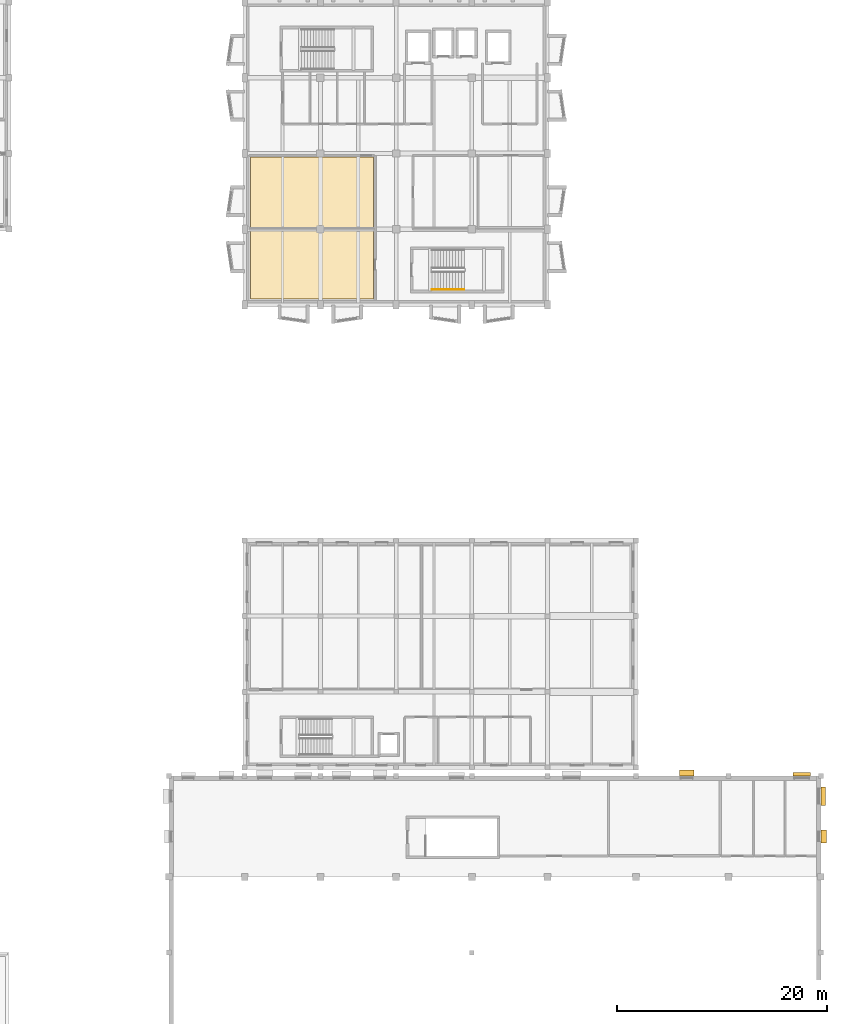
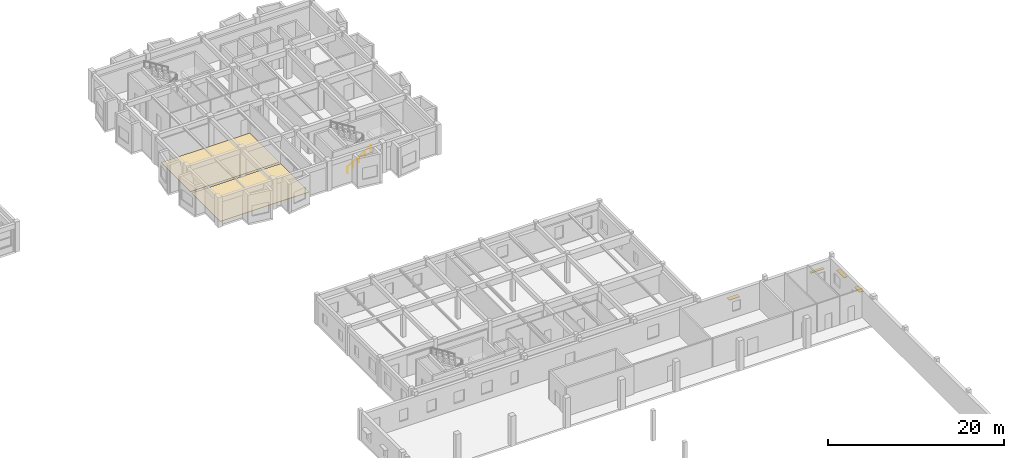
# One storey, part 48 of 49: 4 shading devices, 2 coverings, 1 railing.
"""IFC4 building model written with IfcOpenShell, lengths in metres."""

from ifc_helpers import new_model, si_unit, direction, frame, origin, origin_2d, place, context, subcontext, project, spatial, polyline, rectangle, circle, outline, extrude, material, layer, layer_set, type_object, element, save


model = new_model("IFC4")

# Units and contexts
model_context = context("Model", 3, precision=1e-05, world=origin(), true_north=direction((0.0, 1.0)))
body_context = subcontext(model_context, "Body", "Model", "MODEL_VIEW")
ifc_project = project(units=[si_unit("LENGTHUNIT", "METRE"), si_unit("AREAUNIT", "SQUARE_METRE"), si_unit("VOLUMEUNIT", "CUBIC_METRE"), si_unit("PLANEANGLEUNIT", "RADIAN"), si_unit("MASSUNIT", "GRAM", prefix="KILO")], contexts=[model_context])

# Site, building, storey
site_placement = place(None, origin())
site = spatial("IfcSite", under=ifc_project, at=site_placement, CompositionType="ELEMENT")
building_placement = place(site_placement, origin())
building = spatial("IfcBuilding", under=site, at=building_placement, Name="Bramveld Media Centre", CompositionType="ELEMENT")
storey_placement = place(building_placement, frame((0.0, 0.0, 9.60009765625)))
storey = spatial("IfcBuildingStorey", under=building, at=storey_placement, Name="L02", CompositionType="ELEMENT", Elevation=9.60009765625)

# Coverings
ifc_material_1 = material(Name="Floating acoustic screed with smoked European oak studio flooring")
ifc_layer_1 = layer(ifc_material_1, 0.06494140625)
ifc_layer_set_1 = layer_set([ifc_layer_1], Name="Floating acoustic screed with smoked European oak studio flooring")
covering_type_1 = type_object("IfcCoveringType", Name="COV-FLOOR-01", PredefinedType="FLOORING", material=ifc_layer_set_1)
covering_1_placement = place(storey_placement, origin())
element("IfcCovering", 1, at=covering_1_placement, inside=storey, type_object=covering_type_1, Name="Documentary Commissioning Hub finish flooring", PredefinedType="FLOORING", context=body_context, shape_type="SweptSolid", body=[
    extrude(outline(polyline([(131.75, 90.550048828125), (143.449951171875, 90.550048828125), (143.449951171875, 97.25), (131.75, 97.25), (131.75, 90.550048828125)])), origin(), (0.0, 0.0, 1.0), 0.06494140625),
])
ifc_material_2 = material(Name="Honed Belgian bluestone (petit granit) public concourse flooring", Category="masonry")
ifc_layer_2 = layer(ifc_material_2, 0.050048828125)
ifc_layer_set_2 = layer_set([ifc_layer_2], Name="Honed Belgian bluestone (petit granit) public concourse flooring")
covering_type_2 = type_object("IfcCoveringType", Name="COV-FLOOR-02", PredefinedType="FLOORING", material=ifc_layer_set_2)
covering_2_placement = place(storey_placement, origin())
element("IfcCovering", 2, at=covering_2_placement, inside=storey, type_object=covering_type_2, Name="Archival Research & Rights Clearance Office finish flooring", PredefinedType="FLOORING", context=body_context, shape_type="SweptSolid", body=[
    extrude(outline(polyline([(131.75, 83.75), (143.449951171875, 83.75), (143.449951171875, 90.25), (131.75, 90.25), (131.75, 83.75)])), origin(), (0.0, 0.0, 1.0), 0.0498046875),
])

# Railing
ifc_material_3 = material(Name="Brushed stainless steel tubular stair handrail", Category="steel")
railing_type = type_object("IfcRailingType", Name="RAIL-STAIR-HAND-0920", PredefinedType="HANDRAIL", material=ifc_material_3)
railing_placement = place(storey_placement, frame((149.0, 84.64990234375, 0.1748046875)))
element("IfcRailing", 3, at=railing_placement, inside=storey, type_object=railing_type, Name="L02 ST-02 stair handrail 1", PredefinedType="HANDRAIL", context=body_context, shape_type="SweptSolid", body=[
    extrude(circle(Radius=0.02392578125, at=origin_2d()), frame((0.0, 0.0, 0.8759765625), z_axis=(0.847998304005, 0.0, 0.529998940003), x_axis=(0.0, 1.0, 0.0)), (0.0, 0.0, 1.0), 3.632080078125),
    extrude(circle(Radius=0.02099609375, at=origin_2d()), origin(), (0.0, 0.0, 1.0), 0.851806640625),
    extrude(circle(Radius=0.02099609375, at=origin_2d()), frame((0.77001953125, 0.0, 0.481201171875)), (0.0, 0.0, 1.0), 0.851806640625),
    extrude(circle(Radius=0.02099609375, at=origin_2d()), frame((1.5400390625, 0.0, 0.96240234375)), (0.0, 0.0, 1.0), 0.851806640625),
    extrude(circle(Radius=0.02099609375, at=origin_2d()), frame((2.31005859375, 0.0, 1.44384765625)), (0.0, 0.0, 1.0), 0.851806640625),
    extrude(circle(Radius=0.02099609375, at=origin_2d()), frame((3.080078125, 0.0, 1.925048828125)), (0.0, 0.0, 1.0), 0.851806640625),
])

# Shading devices
ifc_material_4 = material(Name="Anodized bronze extruded aluminium solar shading fin", Category="aluminium")
shading_device_type_1 = type_object("IfcShadingDeviceType", Name="SHD-BRISE-350", PredefinedType="JALOUSIE", material=ifc_material_4)
shading_device_1_placement = place(storey_placement, frame((184.176513671875, 38.574951171875, 2.259765625), z_axis=(0.0, 0.0, 1.0), x_axis=(1.0, 0.0, 0.0)))
element("IfcShadingDevice", 4, at=shading_device_1_placement, inside=storey, type_object=shading_device_type_1, Name="Bronze solar shading fin 42", PredefinedType="JALOUSIE", context=body_context, shape_type="SweptSolid", body=[
    extrude(rectangle(XDim=1.699951171875, YDim=0.35009765625, at=origin_2d()), origin(), (0.0, 0.0, 1.0), 0.06005859375),
])
ifc_material_5 = material(Name="Anodized bronze extruded aluminium solar shading fin", Category="aluminium")
shading_device_type_2 = type_object("IfcShadingDeviceType", Name="SHD-BRISE-450", PredefinedType="JALOUSIE", material=ifc_material_5)
shading_device_2_placement = place(storey_placement, frame((186.22509765625, 36.47998046875, 2.35986328125), z_axis=(0.0, 0.0, 1.0), x_axis=(1.0, 0.0, 0.0)))
element("IfcShadingDevice", 5, at=shading_device_2_placement, inside=storey, type_object=shading_device_type_2, Name="Bronze solar shading fin 31", PredefinedType="JALOUSIE", context=body_context, shape_type="SweptSolid", body=[
    extrude(rectangle(XDim=0.449951171875, YDim=1.75, at=origin_2d()), origin(), (0.0, 0.0, 1.0), 0.06005859375),
])
ifc_material_6 = material(Name="Anodized bronze extruded aluminium solar shading fin", Category="aluminium")
shading_device_type_3 = type_object("IfcShadingDeviceType", Name="SHD-BRISE-550", PredefinedType="JALOUSIE", material=ifc_material_6)
shading_device_3_placement = place(storey_placement, frame((186.27490234375, 32.639892578125, 2.509765625), z_axis=(0.0, 0.0, 1.0), x_axis=(1.0, 0.0, 0.0)))
element("IfcShadingDevice", 6, at=shading_device_3_placement, inside=storey, type_object=shading_device_type_3, Name="Bronze solar shading fin 32", PredefinedType="JALOUSIE", context=body_context, shape_type="SweptSolid", body=[
    extrude(rectangle(XDim=0.550048828125, YDim=1.199951171875, at=origin_2d()), origin(), (0.0, 0.0, 1.0), 0.06005859375),
])
shading_device_4_placement = place(storey_placement, frame((173.2353515625, 38.675048828125, 2.259765625), z_axis=(0.0, 0.0, 1.0), x_axis=(1.0, 0.0, 0.0)))
element("IfcShadingDevice", 7, at=shading_device_4_placement, inside=storey, type_object=shading_device_type_3, Name="Bronze solar shading fin 41", PredefinedType="JALOUSIE", context=body_context, shape_type="SweptSolid", body=[
    extrude(rectangle(XDim=1.39990234375, YDim=0.550048828125, at=origin_2d()), origin(), (0.0, 0.0, 1.0), 0.06005859375),
])

save(model, "model.ifc")
